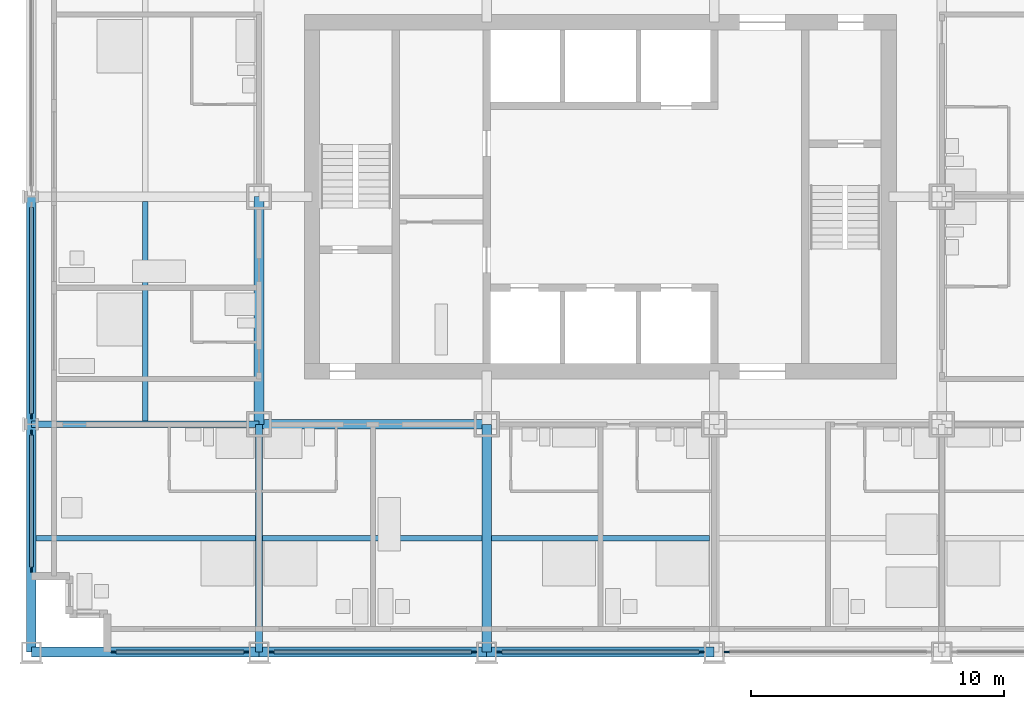
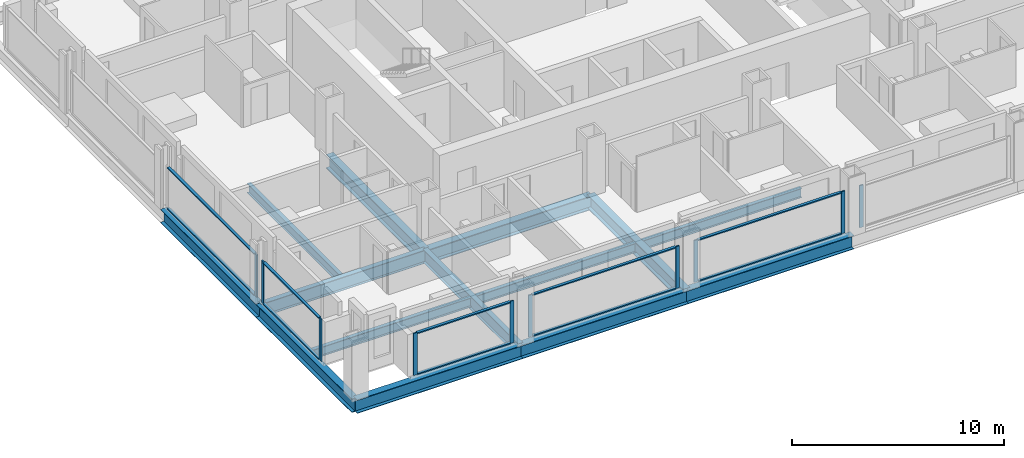
# One storey, part 2 of 16: 20 members, 14 beams, 6 elements without a shape of their own.
"""IFC4 building model written with IfcOpenShell, lengths in metres."""

from ifc_helpers import new_model, si_unit, direction, frame, origin, origin_2d, place, context, subcontext, project, spatial, rectangle, i_section, extrude, material, material_profile, profile_set, type_object, element, aggregate, save


model = new_model("IFC4")

# Units and contexts
model_context = context("Model", 3, precision=1e-05, world=origin(), true_north=direction((0.0, 1.0)))
body_context = subcontext(model_context, "Body", "Model", "MODEL_VIEW")
ifc_project = project(units=[si_unit("LENGTHUNIT", "METRE"), si_unit("AREAUNIT", "SQUARE_METRE"), si_unit("VOLUMEUNIT", "CUBIC_METRE"), si_unit("PLANEANGLEUNIT", "RADIAN"), si_unit("MASSUNIT", "GRAM", prefix="KILO")], contexts=[model_context])

# Site, building, storey
site_placement = place(None, origin())
site = spatial("IfcSite", under=ifc_project, at=site_placement, CompositionType="ELEMENT")
building_placement = place(site_placement, origin())
building = spatial("IfcBuilding", under=site, at=building_placement, Name="Loomwork Tower", CompositionType="ELEMENT")
storey_placement = place(building_placement, frame((0.0, 0.0, 97.60009765625)))
storey = spatial("IfcBuildingStorey", under=building, at=storey_placement, Name="L25", CompositionType="ELEMENT", Elevation=97.60009765625)

# Beams
ifc_material_1 = material(Name="Steel ASTM A992", Category="steel")
ifc_material_profile_1 = material_profile(ifc_material_1, i_section(OverallWidth=0.383544921875, OverallDepth=0.794921875, WebThickness=0.02099609375, FlangeThickness=0.0380859375, at=origin_2d()), Name="W30x235")
ifc_profile_set_1 = profile_set([ifc_material_profile_1], Name="Steel ASTM A992")
beam_type_1 = type_object("IfcBeamType", Name="CORE FLANK GIRDER W30x235", PredefinedType="BEAM", material=ifc_profile_set_1)
for number, where, z_axis, x_axis, name in (
    (1, (9.0, 9.0, -0.59765625), (1.0, 0.0, 0.0), (0.0, 1.0, 0.0), "Core Flank Girder E/3-E/4 L25"),
    (2, (9.0, 9.0, -0.59765625), (0.0, 1.0, 0.0), (-1.0, 0.0, 0.0), "Core Flank Girder E/3-F/3 L25"),
    (3, (18.0, 0.0, -0.59765625), (0.0, 1.0, 0.0), (-1.0, 0.0, 0.0), "Core Flank Girder D/4-E/4 L25"),
):
    element("IfcBeam", number, at=place(storey_placement, frame(where, z_axis=z_axis, x_axis=x_axis)), inside=storey, type_object=beam_type_1, Name=name, PredefinedType="BEAM", context=body_context, shape_type="SweptSolid", body=[
        extrude(i_section(OverallWidth=0.383544921875, OverallDepth=0.794921875, WebThickness=0.02099609375, FlangeThickness=0.0380859375, at=origin_2d()), origin(), (0.0, 0.0, 1.0), 9.0),
    ])
ifc_material_2 = material(Name="Steel ASTM A992", Category="steel")
ifc_material_profile_2 = material_profile(ifc_material_2, i_section(OverallWidth=0.2666015625, OverallDepth=0.761962890625, WebThickness=0.014404296875, FlangeThickness=0.021484375, at=origin_2d()), Name="W30x116")
ifc_profile_set_2 = profile_set([ifc_material_profile_2], Name="Steel ASTM A992")
beam_type_2 = type_object("IfcBeamType", Name="FLOOR GIRDER W30x116", PredefinedType="BEAM", material=ifc_profile_set_2)
for number, where, z_axis, x_axis, name in (
    (4, (0.0, 9.0, -0.5810546875), (1.0, 0.0, 0.0), (0.0, 1.0, 0.0), "Floor Girder E/2-E/3 L25"),
    (5, (9.0, 0.0, -0.5810546875), (0.0, 1.0, 0.0), (-1.0, 0.0, 0.0), "Floor Girder D/3-E/3 L25"),
):
    element("IfcBeam", number, at=place(storey_placement, frame(where, z_axis=z_axis, x_axis=x_axis)), inside=storey, type_object=beam_type_2, Name=name, PredefinedType="BEAM", context=body_context, shape_type="SweptSolid", body=[
        extrude(i_section(OverallWidth=0.2666015625, OverallDepth=0.761962890625, WebThickness=0.014404296875, FlangeThickness=0.021484375, at=origin_2d()), origin(), (0.0, 0.0, 1.0), 9.0),
    ])
ifc_material_3 = material(Name="Steel ASTM A992", Category="steel")
ifc_material_profile_3 = material_profile(ifc_material_3, i_section(OverallWidth=0.2109375, OverallDepth=0.53857421875, WebThickness=0.011474609375, FlangeThickness=0.018798828125, at=origin_2d()), Name="W21x73")
ifc_profile_set_3 = profile_set([ifc_material_profile_3], Name="Steel ASTM A992")
beam_type_3 = type_object("IfcBeamType", Name="FLOOR JOIST W21x73", PredefinedType="JOIST", material=ifc_profile_set_3)
beam_1_placement = place(storey_placement, frame((0.18994140625, 4.5, -0.46923828125), z_axis=(1.0, 0.0, 0.0), x_axis=(0.0, 1.0, 0.0)))
element("IfcBeam", 6, at=beam_1_placement, inside=storey, type_object=beam_type_3, Name="Floor Joist 0.000,4.500-9.000,4.500 L25", PredefinedType="JOIST", context=body_context, shape_type="SweptSolid", body=[
    extrude(i_section(OverallWidth=0.2109375, OverallDepth=0.53857421875, WebThickness=0.011474609375, FlangeThickness=0.018798828125, at=origin_2d()), origin(), (0.0, 0.0, 1.0), 8.677001953125),
])
for number, where, z_axis, x_axis, name in (
    (7, (4.5, 9.133056640625, -0.46923828125), (0.0, 1.0, 0.0), (-1.0, 0.0, 0.0), "Floor Joist 4.500,9.000-4.500,18.000 L25"),
    (8, (9.133056640625, 4.5, -0.46923828125), (1.0, 0.0, 0.0), (0.0, 1.0, 0.0), "Floor Joist 9.000,4.500-18.000,4.500 L25"),
):
    element("IfcBeam", number, at=place(storey_placement, frame(where, z_axis=z_axis, x_axis=x_axis)), inside=storey, type_object=beam_type_3, Name=name, PredefinedType="JOIST", context=body_context, shape_type="SweptSolid", body=[
        extrude(i_section(OverallWidth=0.2109375, OverallDepth=0.53857421875, WebThickness=0.011474609375, FlangeThickness=0.018798828125, at=origin_2d()), origin(), (0.0, 0.0, 1.0), 8.676025390625),
    ])
beam_2_placement = place(storey_placement, frame((18.19091796875, 4.5, -0.46923828125), z_axis=(1.0, 0.0, 0.0), x_axis=(0.0, 1.0, 0.0)))
element("IfcBeam", 9, at=beam_2_placement, inside=storey, type_object=beam_type_3, Name="Floor Joist 18.000,4.500-27.000,4.500 L25", PredefinedType="JOIST", context=body_context, shape_type="SweptSolid", body=[
    extrude(i_section(OverallWidth=0.2109375, OverallDepth=0.53857421875, WebThickness=0.011474609375, FlangeThickness=0.018798828125, at=origin_2d()), origin(), (0.0, 0.0, 1.0), 8.6181640625),
])

# Curtain wall, members
ifc_material_4 = material(Name="Aluminium curtain wall frame", Category="aluminium")
curtain_wall_type = type_object("IfcCurtainWallType", Name="Outer skin glazing hotel", PredefinedType="NOTDEFINED", material=ifc_material_4)
curtain_wall_1_placement = place(storey_placement, origin())
curtain_wall_1 = element("IfcCurtainWall", 10, at=curtain_wall_1_placement, inside=storey, type_object=curtain_wall_type, Name="Outer skin glazing hotel cw/S-0", PredefinedType="NOTDEFINED")
ifc_material_5 = material(Name="Aluminium curtain wall frame", Category="aluminium")
ifc_material_profile_4 = material_profile(ifc_material_5, rectangle(XDim=0.06494140625, YDim=0.199951171875, at=origin_2d()), Name="AL 65x200")
ifc_profile_set_4 = profile_set([ifc_material_profile_4], Name="Aluminium curtain wall frame")
member_type_1 = type_object("IfcMemberType", Name="Outer skin glazing hotel mullion", PredefinedType="MULLION", material=ifc_profile_set_4)
member_1_placement = place(storey_placement, frame((3.25, 0.0, 0.0), z_axis=(0.0, 0.0, 1.0), x_axis=(0.0, 1.0, 0.0)))
member_1 = element("IfcMember", 11, at=member_1_placement, type_object=member_type_1, Name="CW1 mullion 1", PredefinedType="MULLION", context=body_context, shape_type="SweptSolid", body=[
    extrude(rectangle(XDim=0.06494140625, YDim=0.199951171875, at=origin_2d()), origin(), (0.0, 0.0, 1.0), 2.420166015625),
])
member_2_placement = place(storey_placement, frame((8.5, 0.0, 0.0), z_axis=(0.0, 0.0, 1.0), x_axis=(0.0, 1.0, 0.0)))
member_2 = element("IfcMember", 12, at=member_2_placement, type_object=member_type_1, Name="CW1 mullion 2", PredefinedType="MULLION", context=body_context, shape_type="SweptSolid", body=[
    extrude(rectangle(XDim=0.06494140625, YDim=0.199951171875, at=origin_2d()), origin(), (0.0, 0.0, 1.0), 2.420166015625),
])

curtain_wall_2_placement = place(storey_placement, origin())
curtain_wall_2 = element("IfcCurtainWall", 13, at=curtain_wall_2_placement, inside=storey, type_object=curtain_wall_type, Name="Outer skin glazing hotel cw/S-9", PredefinedType="NOTDEFINED")
member_3_placement = place(storey_placement, frame((9.5, 0.0, 0.0), z_axis=(0.0, 0.0, 1.0), x_axis=(0.0, 1.0, 0.0)))
member_3 = element("IfcMember", 14, at=member_3_placement, type_object=member_type_1, Name="CW1 mullion 1", PredefinedType="MULLION", context=body_context, shape_type="SweptSolid", body=[
    extrude(rectangle(XDim=0.06494140625, YDim=0.199951171875, at=origin_2d()), origin(), (0.0, 0.0, 1.0), 2.420166015625),
])
member_4_placement = place(storey_placement, frame((17.5, 0.0, 0.0), z_axis=(0.0, 0.0, 1.0), x_axis=(0.0, 1.0, 0.0)))
member_4 = element("IfcMember", 15, at=member_4_placement, type_object=member_type_1, Name="CW1 mullion 2", PredefinedType="MULLION", context=body_context, shape_type="SweptSolid", body=[
    extrude(rectangle(XDim=0.06494140625, YDim=0.199951171875, at=origin_2d()), origin(), (0.0, 0.0, 1.0), 2.420166015625),
])

curtain_wall_3_placement = place(storey_placement, origin())
curtain_wall_3 = element("IfcCurtainWall", 16, at=curtain_wall_3_placement, inside=storey, type_object=curtain_wall_type, Name="Outer skin glazing hotel cw/S-18", PredefinedType="NOTDEFINED")
member_5_placement = place(storey_placement, frame((18.5, 0.0, 0.0), z_axis=(0.0, 0.0, 1.0), x_axis=(0.0, 1.0, 0.0)))
member_5 = element("IfcMember", 17, at=member_5_placement, type_object=member_type_1, Name="CW1 mullion 1", PredefinedType="MULLION", context=body_context, shape_type="SweptSolid", body=[
    extrude(rectangle(XDim=0.06494140625, YDim=0.199951171875, at=origin_2d()), origin(), (0.0, 0.0, 1.0), 2.420166015625),
])
member_6_placement = place(storey_placement, frame((26.5, 0.0, 0.0), z_axis=(0.0, 0.0, 1.0), x_axis=(0.0, 1.0, 0.0)))
member_6 = element("IfcMember", 18, at=member_6_placement, type_object=member_type_1, Name="CW1 mullion 2", PredefinedType="MULLION", context=body_context, shape_type="SweptSolid", body=[
    extrude(rectangle(XDim=0.06494140625, YDim=0.199951171875, at=origin_2d()), origin(), (0.0, 0.0, 1.0), 2.420166015625),
])

# Curtain wall, member
curtain_wall_4_placement = place(storey_placement, origin())
curtain_wall_4 = element("IfcCurtainWall", 19, at=curtain_wall_4_placement, inside=storey, type_object=curtain_wall_type, Name="Outer skin glazing hotel cw/S-27", PredefinedType="NOTDEFINED")
member_7_placement = place(storey_placement, frame((27.5, 0.0, 0.0), z_axis=(0.0, 0.0, 1.0), x_axis=(0.0, 1.0, 0.0)))
member_7 = element("IfcMember", 20, at=member_7_placement, type_object=member_type_1, Name="CW1 mullion 1", PredefinedType="MULLION", context=body_context, shape_type="SweptSolid", body=[
    extrude(rectangle(XDim=0.06494140625, YDim=0.199951171875, at=origin_2d()), origin(), (0.0, 0.0, 1.0), 2.420166015625),
])
aggregate(curtain_wall_4, [member_7])

# Curtain wall, members
curtain_wall_5_placement = place(storey_placement, origin())
curtain_wall_5 = element("IfcCurtainWall", 21, at=curtain_wall_5_placement, inside=storey, type_object=curtain_wall_type, Name="Outer skin glazing hotel cw/W-0", PredefinedType="NOTDEFINED")
member_8_placement = place(storey_placement, frame((0.0, 8.67529296875, 0.0), z_axis=(0.0, 0.0, 1.0), x_axis=(1.0, 0.0, 0.0)))
member_8 = element("IfcMember", 22, at=member_8_placement, type_object=member_type_1, Name="CW1 mullion 1", PredefinedType="MULLION", context=body_context, shape_type="SweptSolid", body=[
    extrude(rectangle(XDim=0.06494140625, YDim=0.199951171875, at=origin_2d()), origin(), (0.0, 0.0, 1.0), 2.420166015625),
])
member_9_placement = place(storey_placement, frame((0.0, 3.25, 0.0), z_axis=(0.0, 0.0, 1.0), x_axis=(1.0, 0.0, 0.0)))
member_9 = element("IfcMember", 23, at=member_9_placement, type_object=member_type_1, Name="CW1 mullion 2", PredefinedType="MULLION", context=body_context, shape_type="SweptSolid", body=[
    extrude(rectangle(XDim=0.06494140625, YDim=0.199951171875, at=origin_2d()), origin(), (0.0, 0.0, 1.0), 2.420166015625),
])

# Curtain wall, member
curtain_wall_6_placement = place(storey_placement, origin())
curtain_wall_6 = element("IfcCurtainWall", 24, at=curtain_wall_6_placement, inside=storey, type_object=curtain_wall_type, Name="Outer skin glazing hotel cw/W-9", PredefinedType="NOTDEFINED")
member_10_placement = place(storey_placement, frame((0.0, 9.32470703125, 0.0), z_axis=(0.0, 0.0, 1.0), x_axis=(1.0, 0.0, 0.0)))
member_10 = element("IfcMember", 25, at=member_10_placement, type_object=member_type_1, Name="CW1 mullion 2", PredefinedType="MULLION", context=body_context, shape_type="SweptSolid", body=[
    extrude(rectangle(XDim=0.06494140625, YDim=0.199951171875, at=origin_2d()), origin(), (0.0, 0.0, 1.0), 2.420166015625),
])

# Member
ifc_material_6 = material(Name="Aluminium curtain wall frame", Category="aluminium")
ifc_material_profile_5 = material_profile(ifc_material_6, rectangle(XDim=0.14990234375, YDim=0.06494140625, at=origin_2d()), Name="AL 65x150")
ifc_profile_set_5 = profile_set([ifc_material_profile_5], Name="Aluminium curtain wall frame")
member_type_2 = type_object("IfcMemberType", Name="Outer skin glazing hotel transom", PredefinedType="USERDEFINED", material=ifc_profile_set_5)
member_11_placement = place(storey_placement, frame((3.35009765625, 0.0, 0.032470703125), z_axis=(1.0, 0.0, 0.0), x_axis=(0.0, 1.0, 0.0)))
member_11 = element("IfcMember", 26, at=member_11_placement, type_object=member_type_2, Name="CW1 transom 1.1", ObjectType="TRANSOM", PredefinedType="USERDEFINED", context=body_context, shape_type="SweptSolid", body=[
    extrude(rectangle(XDim=0.14990234375, YDim=0.06494140625, at=origin_2d()), origin(), (0.0, 0.0, 1.0), 5.0498046875),
])

member_12_placement = place(storey_placement, frame((3.35009765625, 0.0, 2.3876953125), z_axis=(1.0, 0.0, 0.0), x_axis=(0.0, 1.0, 0.0)))
member_12 = element("IfcMember", 27, at=member_12_placement, type_object=member_type_2, Name="CW1 transom 1.2", ObjectType="TRANSOM", PredefinedType="USERDEFINED", context=body_context, shape_type="SweptSolid", body=[
    extrude(rectangle(XDim=0.14990234375, YDim=0.06494140625, at=origin_2d()), origin(), (0.0, 0.0, 1.0), 5.0498046875),
])

aggregate(curtain_wall_1, [member_1, member_2, member_11, member_12])

member_13_placement = place(storey_placement, frame((9.60009765625, 0.0, 0.032470703125), z_axis=(1.0, 0.0, 0.0), x_axis=(0.0, 1.0, 0.0)))
member_13 = element("IfcMember", 28, at=member_13_placement, type_object=member_type_2, Name="CW1 transom 1.1", ObjectType="TRANSOM", PredefinedType="USERDEFINED", context=body_context, shape_type="SweptSolid", body=[
    extrude(rectangle(XDim=0.14990234375, YDim=0.06494140625, at=origin_2d()), origin(), (0.0, 0.0, 1.0), 7.7998046875),
])

member_14_placement = place(storey_placement, frame((9.60009765625, 0.0, 2.3876953125), z_axis=(1.0, 0.0, 0.0), x_axis=(0.0, 1.0, 0.0)))
member_14 = element("IfcMember", 29, at=member_14_placement, type_object=member_type_2, Name="CW1 transom 1.2", ObjectType="TRANSOM", PredefinedType="USERDEFINED", context=body_context, shape_type="SweptSolid", body=[
    extrude(rectangle(XDim=0.14990234375, YDim=0.06494140625, at=origin_2d()), origin(), (0.0, 0.0, 1.0), 7.7998046875),
])

aggregate(curtain_wall_2, [member_3, member_4, member_13, member_14])

member_15_placement = place(storey_placement, frame((18.60009765625, 0.0, 0.032470703125), z_axis=(1.0, 0.0, 0.0), x_axis=(0.0, 1.0, 0.0)))
member_15 = element("IfcMember", 30, at=member_15_placement, type_object=member_type_2, Name="CW1 transom 1.1", ObjectType="TRANSOM", PredefinedType="USERDEFINED", context=body_context, shape_type="SweptSolid", body=[
    extrude(rectangle(XDim=0.14990234375, YDim=0.06494140625, at=origin_2d()), origin(), (0.0, 0.0, 1.0), 7.7998046875),
])

member_16_placement = place(storey_placement, frame((18.60009765625, 0.0, 2.3876953125), z_axis=(1.0, 0.0, 0.0), x_axis=(0.0, 1.0, 0.0)))
member_16 = element("IfcMember", 31, at=member_16_placement, type_object=member_type_2, Name="CW1 transom 1.2", ObjectType="TRANSOM", PredefinedType="USERDEFINED", context=body_context, shape_type="SweptSolid", body=[
    extrude(rectangle(XDim=0.14990234375, YDim=0.06494140625, at=origin_2d()), origin(), (0.0, 0.0, 1.0), 7.7998046875),
])

aggregate(curtain_wall_3, [member_5, member_6, member_15, member_16])

member_17_placement = place(storey_placement, frame((0.0, 8.5751953125, 0.032470703125), z_axis=(0.0, -1.0, 0.0), x_axis=(1.0, 0.0, 0.0)))
member_17 = element("IfcMember", 32, at=member_17_placement, type_object=member_type_2, Name="CW1 transom 1.1", ObjectType="TRANSOM", PredefinedType="USERDEFINED", context=body_context, shape_type="SweptSolid", body=[
    extrude(rectangle(XDim=0.14990234375, YDim=0.06494140625, at=origin_2d()), origin(), (0.0, 0.0, 1.0), 5.22509765625),
])

member_18_placement = place(storey_placement, frame((0.0, 8.5751953125, 2.3876953125), z_axis=(0.0, -1.0, 0.0), x_axis=(1.0, 0.0, 0.0)))
member_18 = element("IfcMember", 33, at=member_18_placement, type_object=member_type_2, Name="CW1 transom 1.2", ObjectType="TRANSOM", PredefinedType="USERDEFINED", context=body_context, shape_type="SweptSolid", body=[
    extrude(rectangle(XDim=0.14990234375, YDim=0.06494140625, at=origin_2d()), origin(), (0.0, 0.0, 1.0), 5.22509765625),
])

aggregate(curtain_wall_5, [member_8, member_9, member_17, member_18])

member_19_placement = place(storey_placement, frame((0.0, 17.5751953125, 0.032470703125), z_axis=(0.0, -1.0, 0.0), x_axis=(1.0, 0.0, 0.0)))
member_19 = element("IfcMember", 34, at=member_19_placement, type_object=member_type_2, Name="CW1 transom 1.1", ObjectType="TRANSOM", PredefinedType="USERDEFINED", context=body_context, shape_type="SweptSolid", body=[
    extrude(rectangle(XDim=0.14990234375, YDim=0.06494140625, at=origin_2d()), origin(), (0.0, 0.0, 1.0), 8.150390625),
])

member_20_placement = place(storey_placement, frame((0.0, 17.5751953125, 2.3876953125), z_axis=(0.0, -1.0, 0.0), x_axis=(1.0, 0.0, 0.0)))
member_20 = element("IfcMember", 35, at=member_20_placement, type_object=member_type_2, Name="CW1 transom 1.2", ObjectType="TRANSOM", PredefinedType="USERDEFINED", context=body_context, shape_type="SweptSolid", body=[
    extrude(rectangle(XDim=0.14990234375, YDim=0.06494140625, at=origin_2d()), origin(), (0.0, 0.0, 1.0), 8.150390625),
])

aggregate(curtain_wall_6, [member_10, member_19, member_20])

# Beams
ifc_material_7 = material(Name="Steel ASTM A992", Category="steel")
ifc_material_profile_6 = material_profile(ifc_material_7, i_section(OverallWidth=0.381103515625, OverallDepth=0.77978515625, WebThickness=0.01806640625, FlangeThickness=0.0302734375, at=origin_2d()), Name="W30x191")
ifc_profile_set_6 = profile_set([ifc_material_profile_6], Name="Steel ASTM A992")
beam_type_4 = type_object("IfcBeamType", Name="SPANDREL GIRDER W30x191", PredefinedType="SPANDREL", material=ifc_profile_set_6)
for number, where, z_axis, x_axis, name in (
    (36, (0.0, 0.0, -0.590087890625), (1.0, 0.0, 0.0), (0.0, 1.0, 0.0), "Spandrel Girder D/2-D/3 L25"),
    (37, (9.0, 0.0, -0.590087890625), (1.0, 0.0, 0.0), (0.0, 1.0, 0.0), "Spandrel Girder D/3-D/4 L25"),
    (38, (18.0, 0.0, -0.590087890625), (1.0, 0.0, 0.0), (0.0, 1.0, 0.0), "Spandrel Girder D/4-D/5 L25"),
    (39, (0.0, 0.0, -0.590087890625), (0.0, 1.0, 0.0), (-1.0, 0.0, 0.0), "Spandrel Girder D/2-E/2 L25"),
    (40, (0.0, 9.0, -0.590087890625), (0.0, 1.0, 0.0), (-1.0, 0.0, 0.0), "Spandrel Girder E/2-F/2 L25"),
):
    element("IfcBeam", number, at=place(storey_placement, frame(where, z_axis=z_axis, x_axis=x_axis)), inside=storey, type_object=beam_type_4, Name=name, PredefinedType="SPANDREL", context=body_context, shape_type="SweptSolid", body=[
        extrude(i_section(OverallWidth=0.381103515625, OverallDepth=0.77978515625, WebThickness=0.01806640625, FlangeThickness=0.0302734375, at=origin_2d()), origin(), (0.0, 0.0, 1.0), 9.0),
    ])

save(model, "model.ifc")
